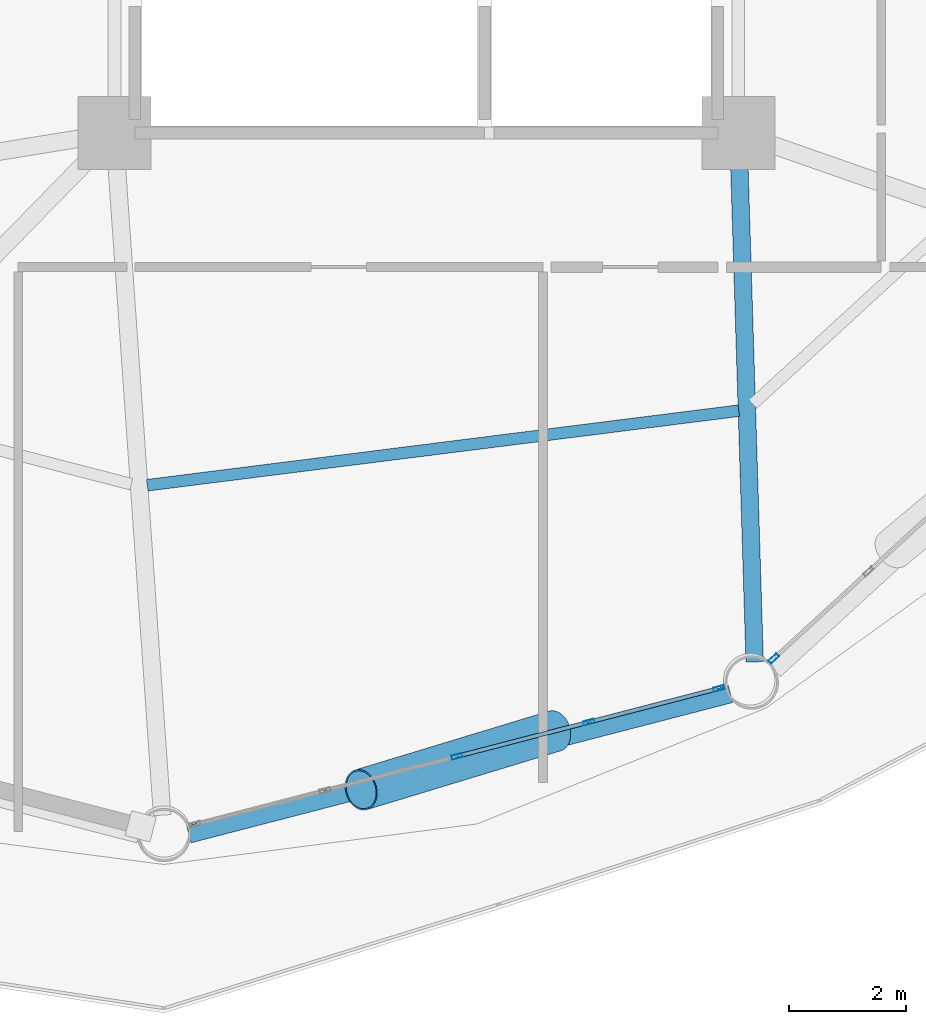
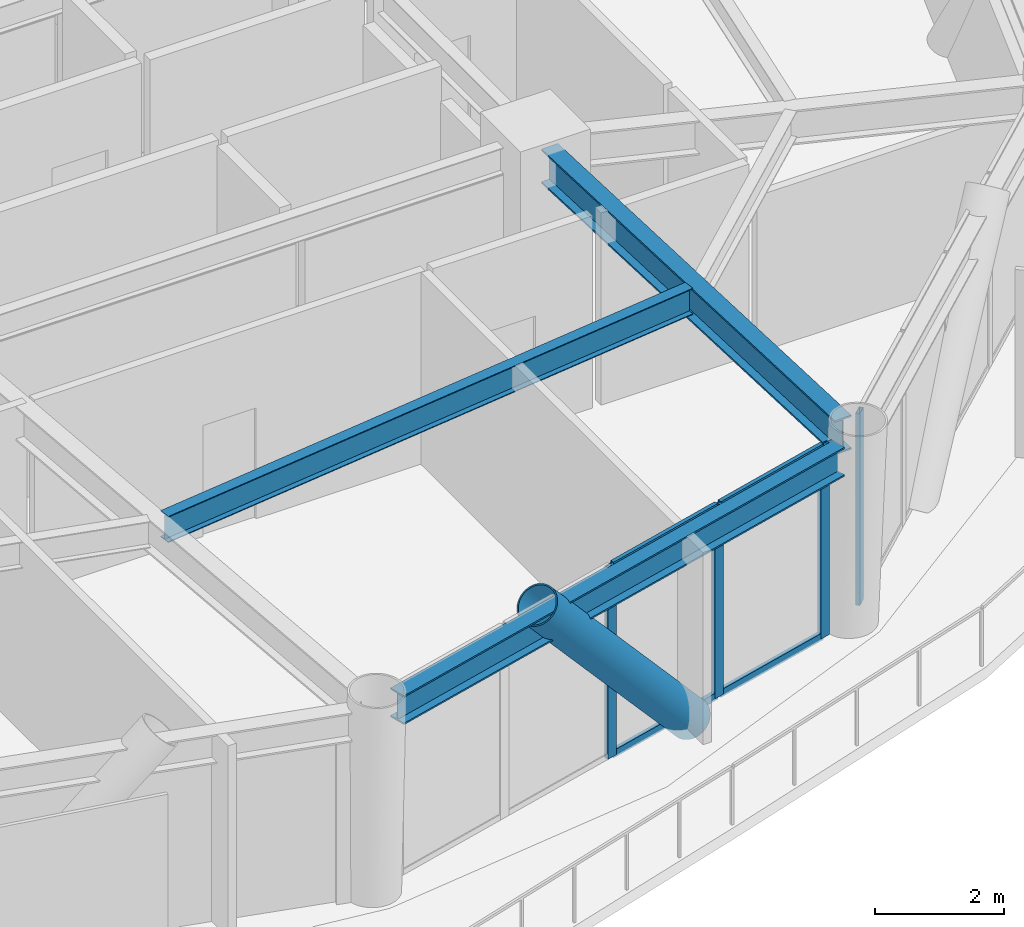
# One storey, part 7 of 23: 9 members, 3 beams, 2 elements without a shape of their own.
"""IFC4 building model written with IfcOpenShell, lengths in metres."""

import ifcopenshell
import ifcopenshell.guid

model = None  # the IFC model being written
_history = None  # IfcOwnerHistory: only IFC2X3 demands one
_inside = {}  # id of a spatial element -> (the spatial element, [elements in it])
_under = {}  # id of a project, library or spatial element -> (it, [spatial elements below it])
_declared = {}  # id of a project -> (the project, [libraries it declares])
_typed = {}  # id of a type object -> (the type object, [elements of that type])
_made_of = {}  # id of a material, layer set ... -> (it, [elements and type objects made of it])


def new_model(schema):
    """Start an empty IFC model of exactly this schema.

    Asked for "IFC4X3", IfcOpenShell would pick the latest addendum, in which some entities
    have other attributes; the version numbers below select the first issue.
    IFC2X3 requires an IfcOwnerHistory on every rooted entity: one is made here for all.
    """
    global model, _history
    if schema == "IFC4X3":
        model = ifcopenshell.file(schema_version=(4, 3, 0, 0))
    else:
        model = ifcopenshell.file(schema=schema)
    _inside.clear()
    _under.clear()
    _declared.clear()
    _typed.clear()
    _made_of.clear()
    _history = None
    if model.schema == "IFC2X3":
        org = make("IfcOrganization", Name="unknown")
        user = make(
            "IfcPersonAndOrganization",
            ThePerson=make("IfcPerson", FamilyName="unknown"),
            TheOrganization=org,
        )
        app = make(
            "IfcApplication",
            ApplicationDeveloper=org,
            Version="unknown",
            ApplicationFullName="unknown",
            ApplicationIdentifier="unknown",
        )
        _history = make(
            "IfcOwnerHistory",
            OwningUser=user,
            OwningApplication=app,
            ChangeAction="ADDED",
            CreationDate=0,
        )
    return model


def make(cls, **values):
    """One entity of the class cls with the attributes given. An attribute that is None is left unset."""
    return model.create_entity(
        cls, **{name: value for name, value in values.items() if value is not None}
    )


def rooted(cls, **values):
    """An entity with a GlobalId (a new one), such as an element, a storey or a relation."""
    return make(cls, GlobalId=ifcopenshell.guid.new(), OwnerHistory=_history, **values)


def si_unit(unit_type, name, prefix=None):
    """IfcSIUnit, for example si_unit("LENGTHUNIT", "METRE", prefix="MILLI")."""
    return make("IfcSIUnit", UnitType=unit_type, Prefix=prefix, Name=name)


def assignment(units):
    """IfcUnitAssignment: the units of a project."""
    return None if units is None else make("IfcUnitAssignment", Units=units)


def point(xyz):
    """IfcCartesianPoint."""
    return None if xyz is None else make("IfcCartesianPoint", Coordinates=xyz)


def direction(xyz):
    """IfcDirection."""
    return None if xyz is None else make("IfcDirection", DirectionRatios=xyz)


def frame(location, z_axis=None, x_axis=None):
    """IfcAxis2Placement3D, a coordinate frame: its origin and axes. An axis left out is left unset."""
    return make(
        "IfcAxis2Placement3D",
        Location=point(location),
        Axis=direction(z_axis),
        RefDirection=direction(x_axis),
    )


def frame_2d(location, x_axis=None):
    """IfcAxis2Placement2D, a coordinate frame in the plane: its origin and x axis."""
    return make(
        "IfcAxis2Placement2D", Location=point(location), RefDirection=direction(x_axis)
    )


def origin():
    """The frame at (0, 0, 0) with its axes left unset."""
    return frame((0.0, 0.0, 0.0))


def origin_2d():
    """The frame at (0, 0) in the plane with its x axis left unset."""
    return frame_2d((0.0, 0.0))


def place(relative_to, where):
    """IfcLocalPlacement: puts the frame where relative to a parent placement (None: the world)."""
    return make(
        "IfcLocalPlacement", PlacementRelTo=relative_to, RelativePlacement=where
    )


def context(
    kind, dimensions, precision=None, world=None, true_north=None, identifier=None
):
    """IfcGeometricRepresentationContext, for example the 3D "Model" context."""
    return make(
        "IfcGeometricRepresentationContext",
        ContextIdentifier=identifier,
        ContextType=kind,
        CoordinateSpaceDimension=dimensions,
        Precision=precision,
        WorldCoordinateSystem=world,
        TrueNorth=true_north,
    )


def subcontext(parent, identifier, kind, view, scale=None):
    """IfcGeometricRepresentationSubContext, for example "Body" below "Model"."""
    return make(
        "IfcGeometricRepresentationSubContext",
        ContextIdentifier=identifier,
        ContextType=kind,
        ParentContext=parent,
        TargetScale=scale,
        TargetView=view,
    )


def project(units=None, contexts=None):
    """IfcProject with its units and contexts."""
    return rooted(
        "IfcProject",
        Name="project",
        RepresentationContexts=contexts,
        UnitsInContext=assignment(units),
    )


def spatial(cls, under=None, at=None, **own):
    """A site, building, storey or space (cls), placed at a placement, below another one or the project."""
    s = rooted(cls, ObjectPlacement=at, **own)
    if under is not None:
        _under.setdefault(under.id(), (under, []))[1].append(s)
    return s


def profile(cls, at=None, kind="AREA", **sizes):
    """A parametric profile (cls). Its sizes go by their IFC names, for example OverallWidth=200.0."""
    return make(cls, ProfileType=kind, Position=at, **sizes)


def hollow_rectangle(**sizes):
    """IfcRectangleHollowProfileDef."""
    return profile("IfcRectangleHollowProfileDef", **sizes)


def hollow_circle(**sizes):
    """IfcCircleHollowProfileDef."""
    return profile("IfcCircleHollowProfileDef", **sizes)


def i_section(**sizes):
    """IfcIShapeProfileDef."""
    return profile("IfcIShapeProfileDef", **sizes)


def extrude(swept, where, along, depth):
    """IfcExtrudedAreaSolid: the profile swept, set in the frame where, extruded along a direction by depth."""
    return make(
        "IfcExtrudedAreaSolid",
        SweptArea=swept,
        Position=where,
        ExtrudedDirection=direction(along),
        Depth=depth,
    )


def shape(context_of_items, identifier, shape_type, items):
    """IfcShapeRepresentation: the items that make up one representation, for example the "Body"."""
    return make(
        "IfcShapeRepresentation",
        ContextOfItems=context_of_items,
        RepresentationIdentifier=identifier,
        RepresentationType=shape_type,
        Items=items,
    )


def material(Name=None, Category=None):
    """IfcMaterial."""
    return make("IfcMaterial", Name=Name, Category=Category)


def layer(
    of_material, thickness, ventilated=None, Name=None, Category=None, Priority=None
):
    """IfcMaterialLayer: one layer of a wall or slab, of a material (None: an air gap)."""
    return make(
        "IfcMaterialLayer",
        Material=of_material,
        LayerThickness=thickness,
        IsVentilated=ventilated,
        Name=Name,
        Category=Category,
        Priority=Priority,
    )


def layer_set(layers, Name=None):
    """IfcMaterialLayerSet."""
    return make("IfcMaterialLayerSet", MaterialLayers=layers, LayerSetName=Name)


def material_profile(
    of_material, cross_section, Name=None, Category=None, Priority=None
):
    """IfcMaterialProfile: a cross section and its material."""
    return make(
        "IfcMaterialProfile",
        Name=Name,
        Material=of_material,
        Profile=cross_section,
        Priority=Priority,
        Category=Category,
    )


def profile_set(profiles, Name=None, composite=None):
    """IfcMaterialProfileSet."""
    return make(
        "IfcMaterialProfileSet",
        Name=Name,
        MaterialProfiles=profiles,
        CompositeProfile=composite,
    )


def made_of(thing, what):
    """Note that an element or type object is made of a material, layer set ...; save() writes the relation."""
    if what is not None:
        _made_of.setdefault(what.id(), (what, []))[1].append(thing)
    return thing


def type_object(cls, material=None, **own):
    """A type object (cls), such as IfcWallType, which elements share."""
    return made_of(rooted(cls, **own), material)


def element(
    cls,
    number,
    at=None,
    inside=None,
    cuts=None,
    type_object=None,
    material=None,
    context=None,
    identifier="Body",
    shape_type=None,
    held_by="IfcProductDefinitionShape",
    body=None,
    shapes=None,
    **own,
):
    """One element of the class cls, such as IfcWall. Its Tag is "e" and its number.

    at: its placement. inside: the storey or other place that contains it. cuts: it is an
    opening in that element (IfcRelVoidsElement). A single representation is given by context,
    identifier, shape_type and body (its items); several are given by shapes. held_by: the class
    of the entity that holds the representations. save() writes the other relations.
    """
    e = rooted(cls, Tag="e%d" % number, ObjectPlacement=at, **own)
    if body is not None:
        shapes = [shape(context, identifier, shape_type, body)]
    if shapes is not None:
        e.Representation = make(held_by, Representations=shapes)
    if inside is not None:
        _inside.setdefault(inside.id(), (inside, []))[1].append(e)
    if cuts is not None:
        rooted(
            "IfcRelVoidsElement", RelatingBuildingElement=cuts, RelatedOpeningElement=e
        )
    if type_object is not None:
        _typed.setdefault(type_object.id(), (type_object, []))[1].append(e)
    return made_of(e, material)


def aggregate(whole, parts):
    """IfcRelAggregates: a whole, such as a stair, and the parts it consists of."""
    return rooted("IfcRelAggregates", RelatingObject=whole, RelatedObjects=parts)


def save(model, path):
    """Write the relations noted so far, then the file.

    IfcRelAggregates (storeys below a building ...), IfcRelContainedInSpatialStructure (elements
    in a storey), IfcRelDefinesByType, IfcRelAssociatesMaterial and IfcRelDeclares: one each for
    every whole, place, type object, material and project.
    """
    for whole, parts in _under.values():
        aggregate(whole, parts)
    for where, things in _inside.values():
        rooted(
            "IfcRelContainedInSpatialStructure",
            RelatedElements=things,
            RelatingStructure=where,
        )
    for kind, things in _typed.values():
        rooted("IfcRelDefinesByType", RelatedObjects=things, RelatingType=kind)
    for what, things in _made_of.values():
        rooted("IfcRelAssociatesMaterial", RelatedObjects=things, RelatingMaterial=what)
    for by, libraries in _declared.values():
        rooted("IfcRelDeclares", RelatingContext=by, RelatedDefinitions=libraries)
    model.write(path)


model = new_model("IFC4")

# Units and contexts
model_context = context("Model", 3, precision=1e-05, world=origin(), true_north=direction((0.0, 1.0)))
body_context = subcontext(model_context, "Body", "Model", "MODEL_VIEW")
ifc_project = project(units=[si_unit("LENGTHUNIT", "METRE"), si_unit("AREAUNIT", "SQUARE_METRE"), si_unit("VOLUMEUNIT", "CUBIC_METRE"), si_unit("PLANEANGLEUNIT", "RADIAN"), si_unit("MASSUNIT", "GRAM", prefix="KILO")], contexts=[model_context])

# Site, building, storey
site_placement = place(None, origin())
site = spatial("IfcSite", under=ifc_project, at=site_placement, CompositionType="ELEMENT")
building_placement = place(site_placement, origin())
building = spatial("IfcBuilding", under=site, at=building_placement, Name="Varnakorn Sky Granary", CompositionType="ELEMENT")
storey_placement = place(building_placement, frame((0.0, 0.0, 31.5)))
storey = spatial("IfcBuildingStorey", under=building, at=storey_placement, Name="L07", CompositionType="ELEMENT", Elevation=31.5)

# Beams
ifc_material_1 = material(Name="Steel S355JR", Category="steel")
ifc_material_profile_1 = material_profile(ifc_material_1, i_section(OverallWidth=0.300048828125, OverallDepth=0.64990234375, WebThickness=0.01611328125, FlangeThickness=0.031005859375, at=origin_2d()), Name="HE 650 B")
ifc_profile_set_1 = profile_set([ifc_material_profile_1], Name="Steel S355JR")
beam_type_1 = type_object("IfcBeamType", Name="BM-RAD-Z1", PredefinedType="BEAM", material=ifc_profile_set_1)
beam_1_placement = place(storey_placement, frame((8.363037109375, -7.019775390625, 3.31494140625), z_axis=(0.030941523055, -0.999521196449, 0.0), x_axis=(0.999521196449, 0.030941523055, 0.0)))
element("IfcBeam", 1, at=beam_1_placement, inside=storey, type_object=beam_type_1, Name="Radial Floor Girder RG11 L07", PredefinedType="BEAM", context=body_context, shape_type="SweptSolid", body=[
    extrude(i_section(OverallWidth=0.300048828125, OverallDepth=0.64990234375, WebThickness=0.01611328125, FlangeThickness=0.031005859375, at=origin_2d()), origin(), (0.0, 0.0, 1.0), 8.65576171875),
])
ifc_material_profile_2 = material_profile(ifc_material_1, i_section(OverallWidth=0.199951171875, OverallDepth=0.5, WebThickness=0.01025390625, FlangeThickness=0.01611328125, at=origin_2d()), Name="IPE 500")
ifc_profile_set_2 = profile_set([ifc_material_profile_2], Name="Steel S355JR")
beam_type_2 = type_object("IfcBeamType", Name="BM-SEC-Z1", PredefinedType="BEAM", material=ifc_profile_set_2)
beam_2_placement = place(storey_placement, frame((-1.786865234375, -12.64208984375, 3.389892578125), z_axis=(0.992148406439, 0.125066140903, 0.0), x_axis=(-0.125066140903, 0.992148406439, 0.0)))
element("IfcBeam", 2, at=beam_2_placement, inside=storey, type_object=beam_type_2, Name="Secondary Floor Chord Beam MSB10 L07", PredefinedType="BEAM", context=body_context, shape_type="SweptSolid", body=[
    extrude(i_section(OverallWidth=0.199951171875, OverallDepth=0.5, WebThickness=0.01025390625, FlangeThickness=0.01611328125, at=origin_2d()), origin(), (0.0, 0.0, 1.0), 10.22509765625),
])
ifc_material_profile_3 = material_profile(ifc_material_1, i_section(OverallWidth=0.300048828125, OverallDepth=0.550048828125, WebThickness=0.014892578125, FlangeThickness=0.029052734375, at=origin_2d()), Name="HE 550 B")
ifc_profile_set_3 = profile_set([ifc_material_profile_3], Name="Steel S355JR")
beam_type_3 = type_object("IfcBeamType", Name="BM-SPD-Z1", PredefinedType="SPANDREL", material=ifc_profile_set_3)
beam_3_placement = place(storey_placement, frame((-1.072021484375, -18.630126953125, 3.364990234375), z_axis=(0.968051132582, 0.250752875771, 0.0), x_axis=(-0.250752875771, 0.968051132582, 0.0)))
element("IfcBeam", 3, at=beam_3_placement, inside=storey, type_object=beam_type_3, Name="Perimeter Spandrel Ring Beam RB10 L07", PredefinedType="SPANDREL", context=body_context, shape_type="SweptSolid", body=[
    extrude(i_section(OverallWidth=0.300048828125, OverallDepth=0.550048828125, WebThickness=0.014892578125, FlangeThickness=0.029052734375, at=origin_2d()), origin(), (0.0, 0.0, 1.0), 9.59521484375),
])

# Curtain wall, members
ifc_material_2 = material(Name="Anodised Bronze Aluminium Alloy 6063-T6", Category="aluminium")
ifc_layer = layer(ifc_material_2, 0.18994140625, Name="Anodised Bronze Aluminium Alloy 6063-T6")
ifc_layer_set = layer_set([ifc_layer], Name="Anodised Bronze Aluminium Alloy 6063-T6")
curtain_wall_type = type_object("IfcCurtainWallType", Name="CW-FRM-1", PredefinedType="USERDEFINED", material=ifc_layer_set)
curtain_wall_1_placement = place(storey_placement, origin())
curtain_wall_1 = element("IfcCurtainWall", 4, at=curtain_wall_1_placement, inside=storey, type_object=curtain_wall_type, Name="Unitised Curtain Wall CW3 CW-L07-B10", ObjectType="CURTAIN WALL", PredefinedType="USERDEFINED")
ifc_material_profile_4 = material_profile(ifc_material_2, hollow_rectangle(XDim=0.070068359375, YDim=0.18505859375, WallThickness=0.00390625, at=origin_2d()), Name="ALU MULL 70x185")
ifc_profile_set_4 = profile_set([ifc_material_profile_4], Name="Anodised Bronze Aluminium Alloy 6063-T6")
member_type_1 = type_object("IfcMemberType", Name="CW-FRM-1-MULL", PredefinedType="MULLION", material=ifc_profile_set_4)
member_1_placement = place(storey_placement, frame((8.017333984375, -16.12646484375, 0.0), z_axis=(0.0, 0.0, 1.0), x_axis=(0.251164802538, -0.967944338258, 0.0)))
member_1 = element("IfcMember", 5, at=member_1_placement, type_object=member_type_1, Name="CW3 mullion 1", PredefinedType="MULLION", context=body_context, shape_type="SweptSolid", body=[
    extrude(hollow_rectangle(XDim=0.070068359375, YDim=0.18505859375, WallThickness=0.00390625, at=origin_2d()), origin(), (0.0, 0.0, 1.0), 3.639892578125),
])
member_2_placement = place(storey_placement, frame((5.788330078125, -16.704833984375, 0.0), z_axis=(0.0, 0.0, 1.0), x_axis=(0.251164802538, -0.967944338258, 0.0)))
member_2 = element("IfcMember", 6, at=member_2_placement, type_object=member_type_1, Name="CW3 mullion 2", PredefinedType="MULLION", context=body_context, shape_type="SweptSolid", body=[
    extrude(hollow_rectangle(XDim=0.070068359375, YDim=0.18505859375, WallThickness=0.00390625, at=origin_2d()), origin(), (0.0, 0.0, 1.0), 3.639892578125),
])
member_3_placement = place(storey_placement, frame((3.525634765625, -17.291748046875, 0.0), z_axis=(0.0, 0.0, 1.0), x_axis=(0.251164802538, -0.967944338258, 0.0)))
member_3 = element("IfcMember", 7, at=member_3_placement, type_object=member_type_1, Name="CW3 mullion 3", PredefinedType="MULLION", context=body_context, shape_type="SweptSolid", body=[
    extrude(hollow_rectangle(XDim=0.070068359375, YDim=0.18505859375, WallThickness=0.00390625, at=origin_2d()), origin(), (0.0, 0.0, 1.0), 3.639892578125),
])

# Curtain wall, member
curtain_wall_2_placement = place(storey_placement, origin())
curtain_wall_2 = element("IfcCurtainWall", 8, at=curtain_wall_2_placement, inside=storey, type_object=curtain_wall_type, Name="Unitised Curtain Wall CW3 CW-L07-B11", ObjectType="CURTAIN WALL", PredefinedType="USERDEFINED")
member_4_placement = place(storey_placement, frame((8.9580078125, -15.6142578125, 0.0), z_axis=(0.0, 0.0, 1.0), x_axis=(0.676386704621, -0.736546689499, 0.0)))
member_4 = element("IfcMember", 9, at=member_4_placement, type_object=member_type_1, Name="CW3 mullion 5", PredefinedType="MULLION", context=body_context, shape_type="SweptSolid", body=[
    extrude(hollow_rectangle(XDim=0.070068359375, YDim=0.18505859375, WallThickness=0.00390625, at=origin_2d()), origin(), (0.0, 0.0, 1.0), 3.639892578125),
])
aggregate(curtain_wall_2, [member_4])

# Member
ifc_material_profile_5 = material_profile(ifc_material_2, hollow_rectangle(XDim=0.070068359375, YDim=0.139892578125, WallThickness=0.00341796875, at=origin_2d()), Name="ALU TRAN 70x140")
ifc_profile_set_5 = profile_set([ifc_material_profile_5], Name="Anodised Bronze Aluminium Alloy 6063-T6")
member_type_2 = type_object("IfcMemberType", Name="CW-FRM-1-TRAN", PredefinedType="USERDEFINED", material=ifc_profile_set_5)
member_5_placement = place(storey_placement, frame((7.9833984375, -16.13525390625, 0.034912109375), z_axis=(-0.967942764186, -0.251170868655, 0.0), x_axis=(0.251170868655, -0.967942764186, 0.0)))
member_5 = element("IfcMember", 10, at=member_5_placement, type_object=member_type_2, Name="CW3 transom 1.1", ObjectType="TRANSOM", PredefinedType="USERDEFINED", context=body_context, shape_type="SweptSolid", body=[
    extrude(hollow_rectangle(XDim=0.070068359375, YDim=0.139892578125, WallThickness=0.00341796875, at=origin_2d()), origin(), (0.0, 0.0, 1.0), 2.232666015625),
])

member_6_placement = place(storey_placement, frame((7.9833984375, -16.13525390625, 3.60498046875), z_axis=(-0.967942764186, -0.251170868655, 0.0), x_axis=(0.251170868655, -0.967942764186, 0.0)))
member_6 = element("IfcMember", 11, at=member_6_placement, type_object=member_type_2, Name="CW3 transom 1.2", ObjectType="TRANSOM", PredefinedType="USERDEFINED", context=body_context, shape_type="SweptSolid", body=[
    extrude(hollow_rectangle(XDim=0.070068359375, YDim=0.139892578125, WallThickness=0.00341796875, at=origin_2d()), origin(), (0.0, 0.0, 1.0), 2.232666015625),
])

member_7_placement = place(storey_placement, frame((5.754638671875, -16.713623046875, 0.034912109375), z_axis=(-0.96797073901, -0.251063036745, 0.0), x_axis=(0.251063036745, -0.96797073901, 0.0)))
member_7 = element("IfcMember", 12, at=member_7_placement, type_object=member_type_2, Name="CW3 transom 2.1", ObjectType="TRANSOM", PredefinedType="USERDEFINED", context=body_context, shape_type="SweptSolid", body=[
    extrude(hollow_rectangle(XDim=0.070068359375, YDim=0.139892578125, WallThickness=0.00341796875, at=origin_2d()), origin(), (0.0, 0.0, 1.0), 2.267822265625),
])

member_8_placement = place(storey_placement, frame((5.754638671875, -16.713623046875, 3.60498046875), z_axis=(-0.96797073901, -0.251063036745, 0.0), x_axis=(0.251063036745, -0.96797073901, 0.0)))
member_8 = element("IfcMember", 13, at=member_8_placement, type_object=member_type_2, Name="CW3 transom 2.2", ObjectType="TRANSOM", PredefinedType="USERDEFINED", context=body_context, shape_type="SweptSolid", body=[
    extrude(hollow_rectangle(XDim=0.070068359375, YDim=0.139892578125, WallThickness=0.00341796875, at=origin_2d()), origin(), (0.0, 0.0, 1.0), 2.267822265625),
])

aggregate(curtain_wall_1, [member_1, member_2, member_3, member_5, member_6, member_7, member_8])

ifc_material_3 = material(Name="Steel S460M", Category="steel")
ifc_material_profile_6 = material_profile(ifc_material_3, hollow_circle(Radius=0.35546875, WallThickness=0.02490234375, at=origin_2d()), Name="CHS 711x25")
ifc_profile_set_6 = profile_set([ifc_material_profile_6], Name="Steel S460M")
member_type_3 = type_object("IfcMemberType", Name="MB-DIAG-T0", PredefinedType="BRACE", material=ifc_profile_set_6)
member_9_placement = place(storey_placement, frame((5.200927734375, -16.857177734375, -0.1298828125), z_axis=(-0.634132730368, -0.192534562442, 0.748869896939), x_axis=(0.290523029144, -0.956868000059, 0.0)))
element("IfcMember", 14, at=member_9_placement, inside=storey, type_object=member_type_3, Name="Perimeter CHS Diagrid Brace DG10 L07", PredefinedType="BRACE", context=body_context, shape_type="SweptSolid", body=[
    extrude(hollow_circle(Radius=0.35546875, WallThickness=0.02490234375, at=origin_2d()), origin(), (0.0, 0.0, 1.0), 5.234375),
])

save(model, "model.ifc")
